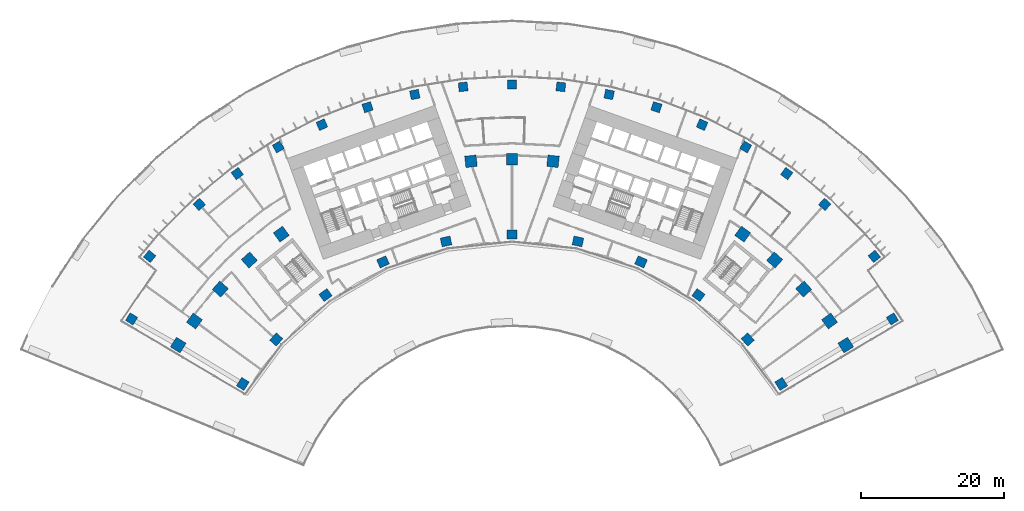
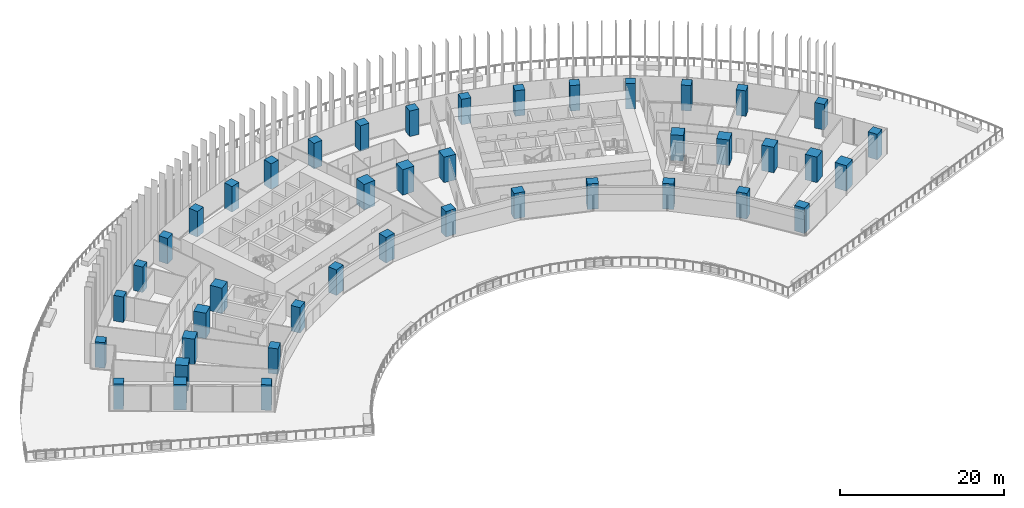
# One storey, part 1 of 24: 43 columns.
"""IFC4 building model written with IfcOpenShell, lengths in metres."""

from ifc_helpers import new_model, si_unit, direction, frame, origin, origin_2d, place, context, subcontext, project, spatial, rectangle, extrude, material, material_profile, profile_set, type_object, element, save


model = new_model("IFC4")

# Units and contexts
model_context = context("Model", 3, precision=1e-05, world=origin(), true_north=direction((0.0, 1.0)))
body_context = subcontext(model_context, "Body", "Model", "MODEL_VIEW")
ifc_project = project(units=[si_unit("LENGTHUNIT", "METRE"), si_unit("AREAUNIT", "SQUARE_METRE"), si_unit("VOLUMEUNIT", "CUBIC_METRE"), si_unit("PLANEANGLEUNIT", "RADIAN"), si_unit("MASSUNIT", "GRAM", prefix="KILO")], contexts=[model_context])

# Site, building, storey
site_placement = place(None, origin())
site = spatial("IfcSite", under=ifc_project, at=site_placement, CompositionType="ELEMENT")
building_placement = place(site_placement, origin())
building = spatial("IfcBuilding", under=site, at=building_placement, Name="Stone Belt Terrace Tower", CompositionType="ELEMENT")
storey_placement = place(building_placement, frame((0.0, 0.0, 30.0)))
storey = spatial("IfcBuildingStorey", under=building, at=storey_placement, Name="L06", CompositionType="ELEMENT", Elevation=30.0)

# Columns
ifc_material = material(Name="Concrete B80", Category="concrete")
ifc_material_profile_1 = material_profile(ifc_material, rectangle(XDim=1.25, YDim=1.25, at=origin_2d()), Name="RC 1250x1250")
ifc_profile_set_1 = profile_set([ifc_material_profile_1], Name="Concrete B80")
column_type_1 = type_object("IfcColumnType", Name="Column RC 1250x1250 B80", PredefinedType="COLUMN", material=ifc_profile_set_1)
for number, where, z_axis, x_axis, name in (
    (1, (-53.30078125, 32.6171875, 0.0), (0.0, 0.0, 1.0), (0.521967198123, 0.852965558556, 0.0), "Column L06 RA"),
    (2, (53.30078125, 32.6171875, 0.0), (0.0, 0.0, 1.0), (0.521967198123, -0.852965558556, 0.0), "Column L06 RB"),
    (3, (-50.7646484375, 41.373046875, 0.0), (0.0, 0.0, 1.0), (0.631758757508, 0.775165061333, 0.0), "Column L06 RNA"),
    (4, (-43.820556640625, 48.667724609375, 0.0), (0.0, 0.0, 1.0), (0.743144825477, 0.669130606359, 0.0), "Column L06 R15"),
    (5, (-38.493408203125, 52.981689453125, 0.0), (0.0, 0.0, 1.0), (0.809016994375, 0.587785252292, 0.0), "Column L06 R16"),
    (6, (-32.744384765625, 56.715087890625, 0.0), (0.0, 0.0, 1.0), (0.866025403784, 0.5, 0.0), "Column L06 R17"),
    (7, (-26.63671875, 59.8271484375, 0.0), (0.0, 0.0, 1.0), (0.913545457643, 0.406736643076, 0.0), "Column L06 R18"),
    (8, (-20.2373046875, 62.28369140625, 0.0), (0.0, 0.0, 1.0), (0.951056516295, 0.309016994375, 0.0), "Column L06 R19"),
    (9, (-13.615966796875, 64.057861328125, 0.0), (0.0, 0.0, 1.0), (0.978147600734, 0.207911690818, 0.0), "Column L06 R20"),
    (10, (-6.845458984375, 65.130126953125, 0.0), (0.0, 0.0, 1.0), (0.994521895368, 0.104528463268, 0.0), "Column L06 R21"),
    (11, (0.0, 65.489013671875, 0.0), (0.0, 0.0, 1.0), (1.0, 0.0, 0.0), "Column L06 R22"),
    (12, (6.845458984375, 65.130126953125, 0.0), (0.0, 0.0, 1.0), (0.994521895368, -0.104528463268, 0.0), "Column L06 R23"),
    (13, (13.615966796875, 64.057861328125, 0.0), (0.0, 0.0, 1.0), (0.978147600734, -0.207911690818, 0.0), "Column L06 R24"),
    (14, (20.2373046875, 62.28369140625, 0.0), (0.0, 0.0, 1.0), (0.951056516295, -0.309016994375, 0.0), "Column L06 R25"),
    (15, (26.63671875, 59.8271484375, 0.0), (0.0, 0.0, 1.0), (0.913545457643, -0.406736643076, 0.0), "Column L06 R26"),
    (16, (32.744384765625, 56.715087890625, 0.0), (0.0, 0.0, 1.0), (0.866025403784, -0.5, 0.0), "Column L06 R27"),
    (17, (38.493408203125, 52.981689453125, 0.0), (0.0, 0.0, 1.0), (0.809016994375, -0.587785252292, 0.0), "Column L06 R28"),
    (18, (43.820556640625, 48.667724609375, 0.0), (0.0, 0.0, 1.0), (0.743144825477, -0.669130606359, 0.0), "Column L06 R29"),
    (19, (50.7646484375, 41.373046875, 0.0), (0.0, 0.0, 1.0), (0.631758757508, -0.775165061333, 0.0), "Column L06 RNB"),
):
    element("IfcColumn", number, at=place(storey_placement, frame(where, z_axis=z_axis, x_axis=x_axis)), inside=storey, type_object=column_type_1, Name=name, PredefinedType="COLUMN", context=body_context, shape_type="SweptSolid", body=[
        extrude(rectangle(XDim=1.25, YDim=1.25, at=origin_2d()), origin(), (0.0, 0.0, 1.0), 3.800048828125),
    ])
ifc_material_profile_2 = material_profile(ifc_material, rectangle(XDim=1.39990234375, YDim=1.25, at=origin_2d()), Name="RC 1400x1250")
ifc_profile_set_2 = profile_set([ifc_material_profile_2], Name="Concrete B80")
column_type_2 = type_object("IfcColumnType", Name="Column RC 1400x1250 B80", PredefinedType="COLUMN", material=ifc_profile_set_2)
for number, where, z_axis, x_axis, name in (
    (20, (-37.718017578125, 23.510009765625, 0.0), (0.0, 0.0, 1.0), (0.528967211548, 0.84864226215, 0.0), "Column L06 PA"),
    (21, (-33.029052734375, 29.739501953125, 0.0), (0.0, 0.0, 1.0), (0.669130606359, 0.743144825477, 0.0), "Column L06 P14"),
    (22, (-26.1240234375, 35.956787109375, 0.0), (0.0, 0.0, 1.0), (0.809016994375, 0.587785252292, 0.0), "Column L06 P16"),
    (23, (-18.077392578125, 40.6025390625, 0.0), (0.0, 0.0, 1.0), (0.913545457643, 0.406736643076, 0.0), "Column L06 P18"),
    (24, (-9.240478515625, 43.473876953125, 0.0), (0.0, 0.0, 1.0), (0.978147600734, 0.207911690818, 0.0), "Column L06 P20"),
    (25, (0.0, 44.445068359375, 0.0), (0.0, 0.0, 1.0), (1.0, 0.0, 0.0), "Column L06 P22"),
    (26, (9.240478515625, 43.473876953125, 0.0), (0.0, 0.0, 1.0), (0.978147600734, -0.207911690818, 0.0), "Column L06 P24"),
    (27, (18.077392578125, 40.6025390625, 0.0), (0.0, 0.0, 1.0), (0.913545457643, -0.406736643076, 0.0), "Column L06 P26"),
    (28, (26.1240234375, 35.956787109375, 0.0), (0.0, 0.0, 1.0), (0.809016994375, -0.587785252292, 0.0), "Column L06 P28"),
    (29, (33.029052734375, 29.739501953125, 0.0), (0.0, 0.0, 1.0), (0.669130606359, -0.743144825477, 0.0), "Column L06 P30"),
    (30, (37.718017578125, 23.510009765625, 0.0), (0.0, 0.0, 1.0), (0.528967211548, -0.84864226215, 0.0), "Column L06 PB"),
):
    element("IfcColumn", number, at=place(storey_placement, frame(where, z_axis=z_axis, x_axis=x_axis)), inside=storey, type_object=column_type_2, Name=name, PredefinedType="COLUMN", context=body_context, shape_type="SweptSolid", body=[
        extrude(rectangle(XDim=1.39990234375, YDim=1.25, at=origin_2d()), origin(), (0.0, 0.0, 1.0), 3.800048828125),
    ])
ifc_material_profile_3 = material_profile(ifc_material, rectangle(XDim=1.60009765625, YDim=1.60009765625, at=origin_2d()), Name="RC 1600x1600")
ifc_profile_set_3 = profile_set([ifc_material_profile_3], Name="Concrete B80")
column_type_3 = type_object("IfcColumnType", Name="Column RC 1600x1600 B80", PredefinedType="COLUMN", material=ifc_profile_set_3)
for number, where, z_axis, x_axis, name in (
    (31, (-46.763671875, 28.951171875, 0.0), (0.0, 0.0, 1.0), (0.526383105721, 0.850247508677, 0.0), "Column L06 QA"),
    (32, (-44.495849609375, 32.328125, 0.0), (0.0, 0.0, 1.0), (0.587785252292, 0.809016994375, 0.0), "Column L06 Q13"),
    (33, (-40.873046875, 36.80224609375, 0.0), (0.0, 0.0, 1.0), (0.669130606359, 0.743144825477, 0.0), "Column L06 Q14"),
    (34, (-36.80224609375, 40.873046875, 0.0), (0.0, 0.0, 1.0), (0.743144825477, 0.669130606359, 0.0), "Column L06 Q15"),
    (35, (-32.328125, 44.495849609375, 0.0), (0.0, 0.0, 1.0), (0.809016994375, 0.587785252292, 0.0), "Column L06 Q16"),
    (36, (-5.7490234375, 54.69873046875, 0.0), (0.0, 0.0, 1.0), (0.994521895368, 0.104528463268, 0.0), "Column L06 Q21"),
    (37, (0.0, 55.0, 0.0), (0.0, 0.0, 1.0), (1.0, 0.0, 0.0), "Column L06 Q22"),
    (38, (5.7490234375, 54.69873046875, 0.0), (0.0, 0.0, 1.0), (0.994521895368, -0.104528463268, 0.0), "Column L06 Q23"),
    (39, (32.328125, 44.495849609375, 0.0), (0.0, 0.0, 1.0), (0.809016994375, -0.587785252292, 0.0), "Column L06 Q28"),
    (40, (36.80224609375, 40.873046875, 0.0), (0.0, 0.0, 1.0), (0.743144825477, -0.669130606359, 0.0), "Column L06 Q29"),
    (41, (40.873046875, 36.80224609375, 0.0), (0.0, 0.0, 1.0), (0.669130606359, -0.743144825477, 0.0), "Column L06 Q30"),
    (42, (44.495849609375, 32.328125, 0.0), (0.0, 0.0, 1.0), (0.587785252292, -0.809016994375, 0.0), "Column L06 Q31"),
    (43, (46.763671875, 28.951171875, 0.0), (0.0, 0.0, 1.0), (0.526383105721, -0.850247508677, 0.0), "Column L06 QB"),
):
    element("IfcColumn", number, at=place(storey_placement, frame(where, z_axis=z_axis, x_axis=x_axis)), inside=storey, type_object=column_type_3, Name=name, PredefinedType="COLUMN", context=body_context, shape_type="SweptSolid", body=[
        extrude(rectangle(XDim=1.60009765625, YDim=1.60009765625, at=origin_2d()), origin(), (0.0, 0.0, 1.0), 3.800048828125),
    ])

save(model, "model.ifc")
